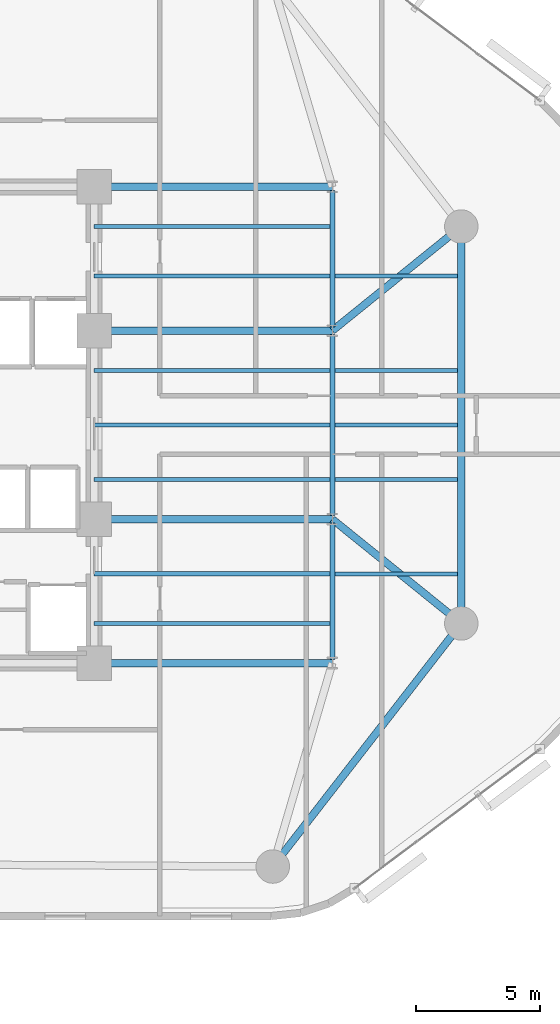
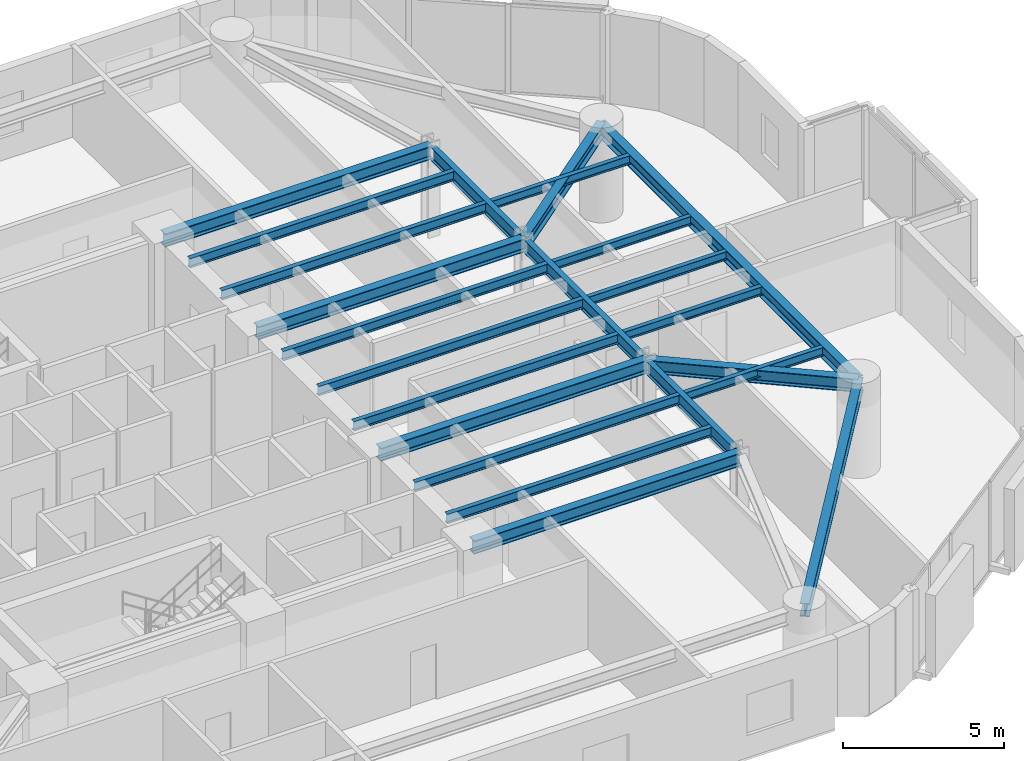
# One storey, part 3 of 14: 23 beams.
"""IFC4 building model written with IfcOpenShell, lengths in metres."""

from ifc_helpers import new_model, si_unit, direction, frame, origin, origin_2d, place, context, subcontext, project, spatial, i_section, extrude, material, material_profile, profile_set, type_object, element, save


model = new_model("IFC4")

# Units and contexts
model_context = context("Model", 3, precision=1e-05, world=origin(), true_north=direction((0.0, 1.0)))
body_context = subcontext(model_context, "Body", "Model", "MODEL_VIEW")
ifc_project = project(units=[si_unit("LENGTHUNIT", "METRE"), si_unit("AREAUNIT", "SQUARE_METRE"), si_unit("VOLUMEUNIT", "CUBIC_METRE"), si_unit("PLANEANGLEUNIT", "RADIAN"), si_unit("MASSUNIT", "GRAM", prefix="KILO")], contexts=[model_context])

# Site, building, storey
site_placement = place(None, origin())
site = spatial("IfcSite", under=ifc_project, at=site_placement, CompositionType="ELEMENT")
building_placement = place(site_placement, origin())
building = spatial("IfcBuilding", under=site, at=building_placement, Name="An Khanh Terracotta Commons", CompositionType="ELEMENT")
storey_placement = place(building_placement, frame((0.0, 0.0, 115.10009765625)))
storey = spatial("IfcBuildingStorey", under=building, at=storey_placement, Name="L30", CompositionType="ELEMENT", Elevation=115.10009765625)

# Beams
ifc_material = material(Name="Steel S355J2", Category="steel")
ifc_material_profile_1 = material_profile(ifc_material, i_section(OverallWidth=0.300048828125, OverallDepth=0.5, WebThickness=0.014404296875, FlangeThickness=0.028076171875, FilletRadius=0.027099609375, at=origin_2d()), Name="HEB500")
ifc_profile_set_1 = profile_set([ifc_material_profile_1], Name="Steel S355J2")
beam_type_1 = type_object("IfcBeamType", Name="BM-HEB500", PredefinedType="BEAM", material=ifc_profile_set_1)
beam_1_placement = place(storey_placement, frame((44.39990234375, 6.199951171875, 3.14990234375), z_axis=(0.612826529795, 0.790217466511, 0.0), x_axis=(-0.790217466511, 0.612826529795, 0.0)))
element("IfcBeam", 1, at=beam_1_placement, inside=storey, type_object=beam_type_1, Name="L30 Perimeter Ring Spandrel 2", PredefinedType="BEAM", context=body_context, shape_type="SweptSolid", body=[
    extrude(i_section(OverallWidth=0.300048828125, OverallDepth=0.5, WebThickness=0.014404296875, FlangeThickness=0.028076171875, FilletRadius=0.027099609375, at=origin_2d()), origin(), (0.0, 0.0, 1.0), 12.401611328125),
])
beam_2_placement = place(storey_placement, frame((52.0, 16.0, 3.14990234375), z_axis=(0.0, 1.0, 0.0), x_axis=(-1.0, 0.0, 0.0)))
element("IfcBeam", 2, at=beam_2_placement, inside=storey, type_object=beam_type_1, Name="L30 Perimeter Ring Spandrel 3", PredefinedType="BEAM", context=body_context, shape_type="SweptSolid", body=[
    extrude(i_section(OverallWidth=0.300048828125, OverallDepth=0.5, WebThickness=0.014404296875, FlangeThickness=0.028076171875, FilletRadius=0.027099609375, at=origin_2d()), origin(), (0.0, 0.0, 1.0), 16.0),
])
for number, where, z_axis, x_axis, name in (
    (3, (37.199951171875, 14.39990234375, 3.14990234375), (1.0, 0.0, 0.0), (0.0, 1.0, 0.0), "L30 East Primary Floor Girder 1"),
    (4, (37.199951171875, 20.199951171875, 3.14990234375), (1.0, 0.0, 0.0), (0.0, 1.0, 0.0), "L30 East Primary Floor Girder 2"),
    (5, (37.199951171875, 27.800048828125, 3.14990234375), (1.0, 0.0, 0.0), (0.0, 1.0, 0.0), "L30 East Primary Floor Girder 3"),
    (6, (37.199951171875, 33.60009765625, 3.14990234375), (1.0, 0.0, 0.0), (0.0, 1.0, 0.0), "L30 East Primary Floor Girder 4"),
):
    element("IfcBeam", number, at=place(storey_placement, frame(where, z_axis=z_axis, x_axis=x_axis)), inside=storey, type_object=beam_type_1, Name=name, PredefinedType="BEAM", context=body_context, shape_type="SweptSolid", body=[
        extrude(i_section(OverallWidth=0.300048828125, OverallDepth=0.5, WebThickness=0.014404296875, FlangeThickness=0.028076171875, FilletRadius=0.027099609375, at=origin_2d()), origin(), (0.0, 0.0, 1.0), 9.60009765625),
    ])
for number, where, z_axis, x_axis, name in (
    (7, (52.0, 16.0, 3.14990234375), (-0.777941866883, 0.628336256913, 0.0), (-0.628336256913, -0.777941866883, 0.0), "L30 Mega-Column Tie Girder 3"),
    (8, (52.0, 32.0, 3.14990234375), (-0.777941866883, -0.628336256913, 0.0), (0.628336256913, -0.777941866883, 0.0), "L30 Mega-Column Tie Girder 4"),
):
    element("IfcBeam", number, at=place(storey_placement, frame(where, z_axis=z_axis, x_axis=x_axis)), inside=storey, type_object=beam_type_1, Name=name, PredefinedType="BEAM", context=body_context, shape_type="SweptSolid", body=[
        extrude(i_section(OverallWidth=0.300048828125, OverallDepth=0.5, WebThickness=0.014404296875, FlangeThickness=0.028076171875, FilletRadius=0.027099609375, at=origin_2d()), origin(), (0.0, 0.0, 1.0), 6.684326171875),
    ])
ifc_material_profile_2 = material_profile(ifc_material, i_section(OverallWidth=0.159912109375, OverallDepth=0.330078125, WebThickness=0.007568359375, FlangeThickness=0.011474609375, FilletRadius=0.01806640625, at=origin_2d()), Name="IPE330")
ifc_profile_set_2 = profile_set([ifc_material_profile_2], Name="Steel S355J2")
beam_type_2 = type_object("IfcBeamType", Name="BM-IPE330", PredefinedType="JOIST", material=ifc_profile_set_2)
for number, where, z_axis, x_axis, name in (
    (9, (46.89990234375, 18.0, 3.23486328125), (1.0, 0.0, 0.0), (0.0, 1.0, 0.0), "L30 Riverfront Composite Joist 2"),
    (10, (46.89990234375, 21.800048828125, 3.23486328125), (1.0, 0.0, 0.0), (0.0, 1.0, 0.0), "L30 Riverfront Composite Joist 3"),
    (11, (46.89990234375, 24.0, 3.23486328125), (1.0, 0.0, 0.0), (0.0, 1.0, 0.0), "L30 Riverfront Composite Joist 4"),
    (12, (46.89990234375, 26.199951171875, 3.23486328125), (1.0, 0.0, 0.0), (0.0, 1.0, 0.0), "L30 Riverfront Composite Joist 5"),
    (13, (46.89990234375, 30.0, 3.23486328125), (1.0, 0.0, 0.0), (0.0, 1.0, 0.0), "L30 Riverfront Composite Joist 6"),
):
    element("IfcBeam", number, at=place(storey_placement, frame(where, z_axis=z_axis, x_axis=x_axis)), inside=storey, type_object=beam_type_2, Name=name, PredefinedType="JOIST", context=body_context, shape_type="SweptSolid", body=[
        extrude(i_section(OverallWidth=0.159912109375, OverallDepth=0.330078125, WebThickness=0.007568359375, FlangeThickness=0.011474609375, FilletRadius=0.01806640625, at=origin_2d()), origin(), (0.0, 0.0, 1.0), 4.9501953125),
    ])
ifc_material_profile_3 = material_profile(ifc_material, i_section(OverallWidth=0.169921875, OverallDepth=0.360107421875, WebThickness=0.008056640625, FlangeThickness=0.0126953125, FilletRadius=0.01806640625, at=origin_2d()), Name="IPE360")
ifc_profile_set_3 = profile_set([ifc_material_profile_3], Name="Steel S355J2")
beam_type_3 = type_object("IfcBeamType", Name="BM-IPE360", PredefinedType="JOIST", material=ifc_profile_set_3)
for number, where, z_axis, x_axis, name in (
    (14, (37.199951171875, 16.0, 3.219970703125), (1.0, 0.0, 0.0), (0.0, 1.0, 0.0), "L30 Inboard Composite Joist 1"),
    (15, (37.199951171875, 18.0, 3.219970703125), (1.0, 0.0, 0.0), (0.0, 1.0, 0.0), "L30 Inboard Composite Joist 2"),
    (16, (37.199951171875, 21.800048828125, 3.219970703125), (1.0, 0.0, 0.0), (0.0, 1.0, 0.0), "L30 Inboard Composite Joist 3"),
    (17, (37.199951171875, 24.0, 3.219970703125), (1.0, 0.0, 0.0), (0.0, 1.0, 0.0), "L30 Inboard Composite Joist 4"),
    (18, (37.199951171875, 26.199951171875, 3.219970703125), (1.0, 0.0, 0.0), (0.0, 1.0, 0.0), "L30 Inboard Composite Joist 5"),
    (19, (37.199951171875, 30.0, 3.219970703125), (1.0, 0.0, 0.0), (0.0, 1.0, 0.0), "L30 Inboard Composite Joist 6"),
    (20, (37.199951171875, 32.0, 3.219970703125), (1.0, 0.0, 0.0), (0.0, 1.0, 0.0), "L30 Inboard Composite Joist 7"),
):
    element("IfcBeam", number, at=place(storey_placement, frame(where, z_axis=z_axis, x_axis=x_axis)), inside=storey, type_object=beam_type_3, Name=name, PredefinedType="JOIST", context=body_context, shape_type="SweptSolid", body=[
        extrude(i_section(OverallWidth=0.169921875, OverallDepth=0.360107421875, WebThickness=0.008056640625, FlangeThickness=0.0126953125, FilletRadius=0.01806640625, at=origin_2d()), origin(), (0.0, 0.0, 1.0), 9.5),
    ])
ifc_material_profile_4 = material_profile(ifc_material, i_section(OverallWidth=0.199951171875, OverallDepth=0.5, WebThickness=0.01025390625, FlangeThickness=0.01611328125, FilletRadius=0.02099609375, at=origin_2d()), Name="IPE500")
ifc_profile_set_4 = profile_set([ifc_material_profile_4], Name="Steel S355J2")
beam_type_4 = type_object("IfcBeamType", Name="BM-IPE500", PredefinedType="BEAM", material=ifc_profile_set_4)
beam_3_placement = place(storey_placement, frame((46.800048828125, 14.550048828125, 3.14990234375), z_axis=(0.0, 1.0, 0.0), x_axis=(-1.0, 0.0, 0.0)))
element("IfcBeam", 21, at=beam_3_placement, inside=storey, type_object=beam_type_4, Name="L30 East Spine Girder 1", PredefinedType="BEAM", context=body_context, shape_type="SweptSolid", body=[
    extrude(i_section(OverallWidth=0.199951171875, OverallDepth=0.5, WebThickness=0.01025390625, FlangeThickness=0.01611328125, FilletRadius=0.02099609375, at=origin_2d()), origin(), (0.0, 0.0, 1.0), 5.5),
])
beam_4_placement = place(storey_placement, frame((46.800048828125, 20.35009765625, 3.14990234375), z_axis=(0.0, 1.0, 0.0), x_axis=(-1.0, 0.0, 0.0)))
element("IfcBeam", 22, at=beam_4_placement, inside=storey, type_object=beam_type_4, Name="L30 East Spine Girder 2", PredefinedType="BEAM", context=body_context, shape_type="SweptSolid", body=[
    extrude(i_section(OverallWidth=0.199951171875, OverallDepth=0.5, WebThickness=0.01025390625, FlangeThickness=0.01611328125, FilletRadius=0.02099609375, at=origin_2d()), origin(), (0.0, 0.0, 1.0), 7.2998046875),
])
beam_5_placement = place(storey_placement, frame((46.800048828125, 27.949951171875, 3.14990234375), z_axis=(0.0, 1.0, 0.0), x_axis=(-1.0, 0.0, 0.0)))
element("IfcBeam", 23, at=beam_5_placement, inside=storey, type_object=beam_type_4, Name="L30 East Spine Girder 3", PredefinedType="BEAM", context=body_context, shape_type="SweptSolid", body=[
    extrude(i_section(OverallWidth=0.199951171875, OverallDepth=0.5, WebThickness=0.01025390625, FlangeThickness=0.01611328125, FilletRadius=0.02099609375, at=origin_2d()), origin(), (0.0, 0.0, 1.0), 5.5),
])

save(model, "model.ifc")
